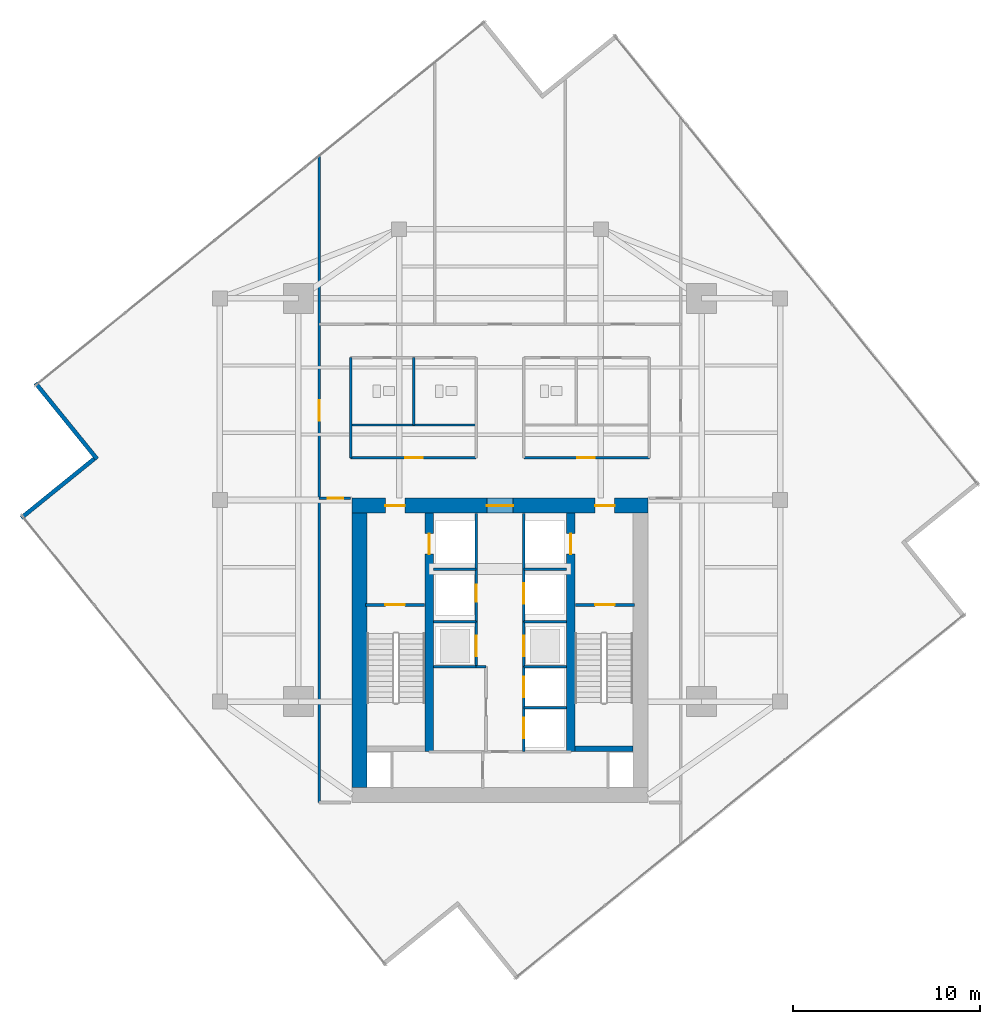
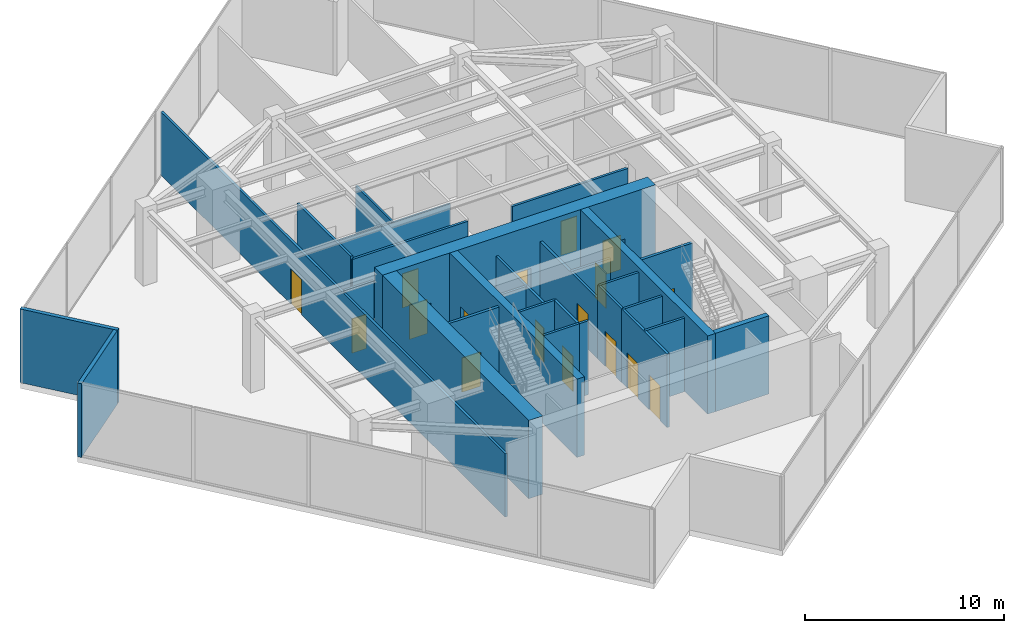
# One storey, part 18 of 22: 29 walls, 17 doors, 17 openings.
"""IFC4 building model written with IfcOpenShell, lengths in metres."""

from ifc_helpers import new_model, si_unit, direction, frame, frame_2d, origin, place, context, subcontext, project, spatial, rectangle, extrude, material, layer, layer_set, type_object, element, fill, save


model = new_model("IFC4")

# Units and contexts
model_context = context("Model", 3, precision=1e-05, world=origin(), true_north=direction((0.0, 1.0)))
body_context = subcontext(model_context, "Body", "Model", "MODEL_VIEW")
ifc_project = project(units=[si_unit("LENGTHUNIT", "METRE"), si_unit("AREAUNIT", "SQUARE_METRE"), si_unit("VOLUMEUNIT", "CUBIC_METRE"), si_unit("PLANEANGLEUNIT", "RADIAN"), si_unit("MASSUNIT", "GRAM", prefix="KILO")], contexts=[model_context])

# Site, building, storey
site_placement = place(None, origin())
site = spatial("IfcSite", under=ifc_project, at=site_placement, CompositionType="ELEMENT")
building_placement = place(site_placement, origin())
building = spatial("IfcBuilding", under=site, at=building_placement, Name="Krantzveldt Concourse Tower", CompositionType="ELEMENT")
storey_placement = place(building_placement, frame((0.0, 0.0, 262.60009765625)))
storey = spatial("IfcBuildingStorey", under=building, at=storey_placement, Name="L64", CompositionType="ELEMENT", Elevation=262.60009765625)

# Walls
ifc_material_1 = material(Name="Anodised aluminium 6063-T6", Category="aluminium")
ifc_layer_1 = layer(ifc_material_1, 0.219970703125, Name="Anodised aluminium 6063-T6", Category="aluminium")
ifc_layer_set_1 = layer_set([ifc_layer_1], Name="Anodised aluminium 6063-T6 (WL-EXT-NOTCH220)")
wall_type_1 = type_object("IfcWallType", Name="WL-EXT-NOTCH220", PredefinedType="ELEMENTEDWALL", material=ifc_layer_set_1)
wall_1_placement = place(storey_placement, frame((11.122802734375, 32.965576171875, 0.0), z_axis=(0.0, 0.0, 1.0), x_axis=(0.629366932104, -0.777108270947, 0.0)))
element("IfcWall", 1, at=wall_1_placement, inside=storey, type_object=wall_type_1, Name="EW-L64-NCH02", PredefinedType="ELEMENTEDWALL", context=body_context, shape_type="SweptSolid", body=[
    extrude(rectangle(XDim=5.244873046875, YDim=0.219970703125, at=frame_2d((2.62255859375, 0.0))), origin(), (0.0, 0.0, 1.0), 4.52001953125),
])
wall_2_placement = place(storey_placement, frame((14.26904296875, 28.90576171875, 0.0), z_axis=(0.0, 0.0, 1.0), x_axis=(-0.777153217978, -0.629311429887, 0.0)))
element("IfcWall", 2, at=wall_2_placement, inside=storey, type_object=wall_type_1, Name="EW-L64-NCH03", PredefinedType="ELEMENTEDWALL", context=body_context, shape_type="SweptSolid", body=[
    extrude(rectangle(XDim=5.025146484375, YDim=0.219970703125, at=frame_2d((2.5126953125, 0.0))), origin(), (0.0, 0.0, 1.0), 4.52001953125),
])
ifc_material_2 = material(Name="Fire-rated gypsum plasterboard on steel stud", Category="steel")
ifc_layer_2 = layer(ifc_material_2, 0.1201171875, Name="Fire-rated gypsum plasterboard on steel stud", Category="steel")
ifc_layer_set_2 = layer_set([ifc_layer_2], Name="Fire-rated gypsum plasterboard on steel stud (WL-PART-120)")
wall_type_2 = type_object("IfcWallType", Name="WL-PART-120", PredefinedType="PARTITIONING", material=ifc_layer_set_2)
wall_3_placement = place(storey_placement, frame((28.0, 30.719970703125, 0.0), z_axis=(0.0, 0.0, 1.0), x_axis=(1.0, 0.0, 0.0)))
element("IfcWall", 3, at=wall_3_placement, inside=storey, type_object=wall_type_2, Name="WP-L64-SML", PredefinedType="PARTITIONING", context=body_context, shape_type="SweptSolid", body=[
    extrude(rectangle(XDim=6.719970703125, YDim=0.1201171875, at=frame_2d((3.35986328125, 0.0))), origin(), (0.0, 0.0, 1.0), 4.02978515625),
])
wall_4_placement = place(storey_placement, frame((31.3798828125, 30.719970703125, 0.0), z_axis=(0.0, 0.0, 1.0), x_axis=(0.0, 1.0, 0.0)))
element("IfcWall", 4, at=wall_4_placement, inside=storey, type_object=wall_type_2, Name="WP-L64-SD1", PredefinedType="PARTITIONING", context=body_context, shape_type="SweptSolid", body=[
    extrude(rectangle(XDim=3.60009765625, YDim=0.1201171875, at=frame_2d((1.800048828125, 0.0))), origin(), (0.0, 0.0, 1.0), 4.119873046875),
])

# Wall, opening, door
ifc_layer_3 = layer(ifc_material_2, 0.139892578125, Name="Fire-rated gypsum plasterboard on steel stud", Category="steel")
ifc_layer_set_3 = layer_set([ifc_layer_3], Name="Fire-rated gypsum plasterboard on steel stud (WL-PART-140)")
wall_type_3 = type_object("IfcWallType", Name="WL-PART-140", PredefinedType="PARTITIONING", material=ifc_layer_set_3)
wall_5_placement = place(storey_placement, frame((28.0, 28.9599609375, 0.0), z_axis=(0.0, 0.0, 1.0), x_axis=(1.0, 0.0, 0.0)))
wall_5 = element("IfcWall", 5, at=wall_5_placement, inside=storey, type_object=wall_type_3, Name="WP-L64-SHL", PredefinedType="PARTITIONING", context=body_context, shape_type="SweptSolid", body=[
    extrude(rectangle(XDim=6.719970703125, YDim=0.139892578125, at=frame_2d((3.35986328125, 0.0))), origin(), (0.0, 0.0, 1.0), 4.02978515625),
])
opening_1_placement = place(wall_5_placement, frame((2.925048828125, 0.0, 0.0)))
opening_1 = element("IfcOpeningElement", 6, at=opening_1_placement, cuts=wall_5, Name="Opening D-IN095", PredefinedType="OPENING", context=body_context, shape_type="SweptSolid", body=[
    extrude(rectangle(XDim=0.949951171875, YDim=2.10009765625, at=frame_2d((0.47509765625, 1.050048828125))), frame((0.0, 0.080078125, 0.0), z_axis=(0.0, -1.0, 0.0), x_axis=(1.0, 0.0, 0.0)), (0.0, 0.0, 1.0), 0.159912109375),
])
ifc_material_3 = material(Name="Hardwood timber", Category="wood")
door_type_1 = type_object("IfcDoorType", Name="DR-INT-950", OperationType="SINGLE_SWING_LEFT", PredefinedType="DOOR", material=ifc_material_3)
door_1_placement = place(opening_1_placement, origin())
door_1 = element("IfcDoor", 7, at=door_1_placement, inside=storey, type_object=door_type_1, Name="DR-L64-ALCW", OperationType="SINGLE_SWING_LEFT", OverallHeight=2.10009765625, OverallWidth=0.949951171875, PredefinedType="DOOR", context=body_context, shape_type="SweptSolid", body=[
    extrude(rectangle(XDim=0.949951171875, YDim=2.10009765625, at=frame_2d((0.47509765625, 1.050048828125))), frame((0.0, 0.02490234375, 0.0), z_axis=(0.0, -1.0, 0.0), x_axis=(1.0, 0.0, 0.0)), (0.0, 0.0, 1.0), 0.050048828125),
])
fill(opening_1, door_1)

wall_6_placement = place(storey_placement, frame((37.280029296875, 28.9599609375, 0.0), z_axis=(0.0, 0.0, 1.0), x_axis=(1.0, 0.0, 0.0)))
wall_6 = element("IfcWall", 8, at=wall_6_placement, inside=storey, type_object=wall_type_3, Name="WP-L64-SHR", PredefinedType="PARTITIONING", context=body_context, shape_type="SweptSolid", body=[
    extrude(rectangle(XDim=6.719970703125, YDim=0.139892578125, at=frame_2d((3.35986328125, 0.0))), origin(), (0.0, 0.0, 1.0), 4.02978515625),
])
opening_2_placement = place(wall_6_placement, frame((2.844970703125, 0.0, 0.0)))
opening_2 = element("IfcOpeningElement", 9, at=opening_2_placement, cuts=wall_6, Name="Opening D-IN095", PredefinedType="OPENING", context=body_context, shape_type="SweptSolid", body=[
    extrude(rectangle(XDim=0.949951171875, YDim=2.10009765625, at=frame_2d((0.47509765625, 1.050048828125))), frame((0.0, 0.080078125, 0.0), z_axis=(0.0, -1.0, 0.0), x_axis=(1.0, 0.0, 0.0)), (0.0, 0.0, 1.0), 0.159912109375),
])
door_2_placement = place(opening_2_placement, origin())
door_2 = element("IfcDoor", 10, at=door_2_placement, inside=storey, type_object=door_type_1, Name="DR-L64-ALCE", OperationType="SINGLE_SWING_RIGHT", OverallHeight=2.10009765625, OverallWidth=0.949951171875, PredefinedType="DOOR", context=body_context, shape_type="SweptSolid", body=[
    extrude(rectangle(XDim=0.949951171875, YDim=2.10009765625, at=frame_2d((0.47509765625, 1.050048828125))), frame((0.0, 0.02490234375, 0.0), z_axis=(0.0, -1.0, 0.0), x_axis=(1.0, 0.0, 0.0)), (0.0, 0.0, 1.0), 0.050048828125),
])
fill(opening_2, door_2)

# Wall
wall_7_placement = place(storey_placement, frame((28.0, 28.9599609375, 0.0), z_axis=(0.0, 0.0, 1.0), x_axis=(0.0, 1.0, 0.0)))
element("IfcWall", 11, at=wall_7_placement, inside=storey, type_object=wall_type_3, Name="WP-L64-SWL", PredefinedType="PARTITIONING", context=body_context, shape_type="SweptSolid", body=[
    extrude(rectangle(XDim=5.360107421875, YDim=0.139892578125, at=frame_2d((2.68017578125, 0.0))), origin(), (0.0, 0.0, 1.0), 4.219970703125),
])

# Wall, opening, door
wall_8_placement = place(storey_placement, frame((26.320068359375, 10.5, 0.0), z_axis=(0.0, 0.0, 1.0), x_axis=(0.0, 1.0, 0.0)))
wall_8 = element("IfcWall", 12, at=wall_8_placement, inside=storey, type_object=wall_type_3, Name="WP-L64-CWL", PredefinedType="PARTITIONING", context=body_context, shape_type="SweptSolid", body=[
    extrude(rectangle(XDim=34.6240234375, YDim=0.139892578125, at=frame_2d((17.31201171875, 0.0))), origin(), (0.0, 0.0, 1.0), 3.8798828125),
])
opening_3_placement = place(wall_8_placement, frame((20.449951171875, 0.0, 0.0)))
opening_3 = element("IfcOpeningElement", 13, at=opening_3_placement, cuts=wall_8, Name="Opening D-IN110", PredefinedType="OPENING", context=body_context, shape_type="SweptSolid", body=[
    extrude(rectangle(XDim=1.10009765625, YDim=2.14990234375, at=frame_2d((0.550048828125, 1.074951171875))), frame((0.0, 0.080078125, 0.0), z_axis=(0.0, -1.0, 0.0), x_axis=(1.0, 0.0, 0.0)), (0.0, 0.0, 1.0), 0.159912109375),
])
door_type_2 = type_object("IfcDoorType", Name="DR-INT-1100", OperationType="SINGLE_SWING_LEFT", PredefinedType="DOOR", material=ifc_material_3)
door_3_placement = place(opening_3_placement, origin())
door_3 = element("IfcDoor", 14, at=door_3_placement, inside=storey, type_object=door_type_2, Name="DR-L64-SKYW", OperationType="SINGLE_SWING_LEFT", OverallHeight=2.14990234375, OverallWidth=1.10009765625, PredefinedType="DOOR", context=body_context, shape_type="SweptSolid", body=[
    extrude(rectangle(XDim=1.10009765625, YDim=2.14990234375, at=frame_2d((0.550048828125, 1.074951171875))), frame((0.0, 0.02490234375, 0.0), z_axis=(0.0, -1.0, 0.0), x_axis=(1.0, 0.0, 0.0)), (0.0, 0.0, 1.0), 0.050048828125),
])
fill(opening_3, door_3)

wall_9_placement = place(storey_placement, frame((26.320068359375, 26.800048828125, 0.0), z_axis=(0.0, 0.0, 1.0), x_axis=(1.0, 0.0, 0.0)))
wall_9 = element("IfcWall", 15, at=wall_9_placement, inside=storey, type_object=wall_type_3, Name="WP-L64-CSW", PredefinedType="PARTITIONING", context=body_context, shape_type="SweptSolid", body=[
    extrude(rectangle(XDim=1.679931640625, YDim=0.139892578125, at=frame_2d((0.83984375, 0.0))), origin(), (0.0, 0.0, 1.0), 4.02978515625),
])
opening_4_placement = place(wall_9_placement, frame((0.445068359375, 0.0, 0.0)))
opening_4 = element("IfcOpeningElement", 16, at=opening_4_placement, cuts=wall_9, Name="Opening D-IN085", PredefinedType="OPENING", context=body_context, shape_type="SweptSolid", body=[
    extrude(rectangle(XDim=0.85009765625, YDim=2.10009765625, at=frame_2d((0.425048828125, 1.050048828125))), frame((0.0, 0.080078125, 0.0), z_axis=(0.0, -1.0, 0.0), x_axis=(1.0, 0.0, 0.0)), (0.0, 0.0, 1.0), 0.159912109375),
])
door_type_3 = type_object("IfcDoorType", Name="DR-INT-850", OperationType="SINGLE_SWING_LEFT", PredefinedType="DOOR", material=ifc_material_3)
door_4_placement = place(opening_4_placement, origin())
door_4 = element("IfcDoor", 17, at=door_4_placement, inside=storey, type_object=door_type_3, Name="DR-L64-PKW", OperationType="SINGLE_SWING_LEFT", OverallHeight=2.10009765625, OverallWidth=0.85009765625, PredefinedType="DOOR", context=body_context, shape_type="SweptSolid", body=[
    extrude(rectangle(XDim=0.85009765625, YDim=2.10009765625, at=frame_2d((0.425048828125, 1.050048828125))), frame((0.0, 0.02490234375, 0.0), z_axis=(0.0, -1.0, 0.0), x_axis=(1.0, 0.0, 0.0)), (0.0, 0.0, 1.0), 0.050048828125),
])
fill(opening_4, door_4)

ifc_layer_4 = layer(ifc_material_2, 0.139892578125, Name="Fire-rated gypsum plasterboard on steel stud", Category="steel")
ifc_layer_set_4 = layer_set([ifc_layer_4], Name="Fire-rated gypsum plasterboard on steel stud (WL-PART-FR140)")
wall_type_4 = type_object("IfcWallType", Name="WL-PART-FR140", PredefinedType="PARTITIONING", material=ifc_layer_set_4)
wall_10_placement = place(storey_placement, frame((34.719970703125, 20.199951171875, 0.0), z_axis=(0.0, 0.0, 1.0), x_axis=(0.0, 1.0, 0.0)))
wall_10 = element("IfcWall", 18, at=wall_10_placement, inside=storey, type_object=wall_type_4, Name="WP-L64-SHNW", PredefinedType="PARTITIONING", context=body_context, shape_type="SweptSolid", body=[
    extrude(rectangle(XDim=5.780029296875, YDim=0.139892578125, at=frame_2d((2.89013671875, 0.0))), origin(), (0.0, 0.0, 1.0), 3.669921875),
])
opening_5_placement = place(wall_10_placement, frame((1.050048828125, 0.0, 0.0)))
opening_5 = element("IfcOpeningElement", 19, at=opening_5_placement, cuts=wall_10, Name="Opening D-FD090", PredefinedType="OPENING", context=body_context, shape_type="SweptSolid", body=[
    extrude(rectangle(XDim=0.89990234375, YDim=2.10009765625, at=frame_2d((0.449951171875, 1.050048828125))), frame((0.0, 0.080078125, 0.0), z_axis=(0.0, -1.0, 0.0), x_axis=(1.0, 0.0, 0.0)), (0.0, 0.0, 1.0), 0.159912109375),
])
door_type_4 = type_object("IfcDoorType", Name="DR-FD60-900", OperationType="SINGLE_SWING_LEFT", PredefinedType="DOOR", material=ifc_material_3)
door_5_placement = place(opening_5_placement, origin())
door_5 = element("IfcDoor", 20, at=door_5_placement, inside=storey, type_object=door_type_4, Name="Electrical Riser Access Door L64", OperationType="SINGLE_SWING_LEFT", OverallHeight=2.10009765625, OverallWidth=0.89990234375, PredefinedType="DOOR", context=body_context, shape_type="SweptSolid", body=[
    extrude(rectangle(XDim=0.89990234375, YDim=2.10009765625, at=frame_2d((0.449951171875, 1.050048828125))), frame((0.0, 0.02490234375, 0.0), z_axis=(0.0, -1.0, 0.0), x_axis=(1.0, 0.0, 0.0)), (0.0, 0.0, 1.0), 0.050048828125),
])
fill(opening_5, door_5)

wall_11_placement = place(storey_placement, frame((37.280029296875, 20.199951171875, 0.0), z_axis=(0.0, 0.0, 1.0), x_axis=(0.0, 1.0, 0.0)))
wall_11 = element("IfcWall", 21, at=wall_11_placement, inside=storey, type_object=wall_type_4, Name="WP-L64-SHNE", PredefinedType="PARTITIONING", context=body_context, shape_type="SweptSolid", body=[
    extrude(rectangle(XDim=5.780029296875, YDim=0.139892578125, at=frame_2d((2.89013671875, 0.0))), origin(), (0.0, 0.0, 1.0), 3.669921875),
])
opening_6_placement = place(wall_11_placement, frame((0.949951171875, 0.0, 0.0)))
opening_6 = element("IfcOpeningElement", 22, at=opening_6_placement, cuts=wall_11, Name="Opening LD", PredefinedType="OPENING", context=body_context, shape_type="SweptSolid", body=[
    extrude(rectangle(XDim=1.10009765625, YDim=2.14990234375, at=frame_2d((0.550048828125, 1.074951171875))), frame((0.0, 0.080078125, 0.0), z_axis=(0.0, -1.0, 0.0), x_axis=(1.0, 0.0, 0.0)), (0.0, 0.0, 1.0), 0.159912109375),
])
ifc_material_4 = material(Name="Stainless steel 316L", Category="steel")
door_type_5 = type_object("IfcDoorType", Name="DR-SLIDE-LD1100", OperationType="DOUBLE_DOOR_SLIDING", PredefinedType="DOOR", material=ifc_material_4)
door_6_placement = place(opening_6_placement, origin())
door_6 = element("IfcDoor", 23, at=door_6_placement, inside=storey, type_object=door_type_5, Name="LD-L64-GL1", OperationType="DOUBLE_DOOR_SLIDING", OverallHeight=2.14990234375, OverallWidth=1.10009765625, PredefinedType="DOOR", context=body_context, shape_type="SweptSolid", body=[
    extrude(rectangle(XDim=1.10009765625, YDim=2.14990234375, at=frame_2d((0.550048828125, 1.074951171875))), frame((0.0, 0.02490234375, 0.0), z_axis=(0.0, -1.0, 0.0), x_axis=(1.0, 0.0, 0.0)), (0.0, 0.0, 1.0), 0.050048828125),
])
fill(opening_6, door_6)

# Walls
for number, where, z_axis, x_axis, name in (
    (24, (32.449951171875, 23.0, 0.0), (0.0, 0.0, 1.0), (1.0, 0.0, 0.0), "WP-L64-RISH"),
    (25, (37.280029296875, 23.0, 0.0), (0.0, 0.0, 1.0), (1.0, 0.0, 0.0), "WP-L64-GLH"),
):
    element("IfcWall", number, at=place(storey_placement, frame(where, z_axis=z_axis, x_axis=x_axis)), inside=storey, type_object=wall_type_4, Name=name, PredefinedType="PARTITIONING", context=body_context, shape_type="SweptSolid", body=[
        extrude(rectangle(XDim=2.27001953125, YDim=0.139892578125, at=frame_2d((1.135009765625, 0.0))), origin(), (0.0, 0.0, 1.0), 3.669921875),
    ])

# Wall, opening, door
wall_12_placement = place(storey_placement, frame((34.719970703125, 17.780029296875, 0.0), z_axis=(0.0, 0.0, 1.0), x_axis=(0.0, 1.0, 0.0)))
wall_12 = element("IfcWall", 26, at=wall_12_placement, inside=storey, type_object=wall_type_4, Name="WP-L64-SHNW2", PredefinedType="PARTITIONING", context=body_context, shape_type="SweptSolid", body=[
    extrude(rectangle(XDim=2.419921875, YDim=0.139892578125, at=frame_2d((1.2099609375, 0.0))), origin(), (0.0, 0.0, 1.0), 4.52001953125),
])
opening_7_placement = place(wall_12_placement, frame((0.550048828125, 0.0, 0.0)))
opening_7 = element("IfcOpeningElement", 27, at=opening_7_placement, cuts=wall_12, Name="Opening LD", PredefinedType="OPENING", context=body_context, shape_type="SweptSolid", body=[
    extrude(rectangle(XDim=1.10009765625, YDim=2.14990234375, at=frame_2d((0.550048828125, 1.074951171875))), frame((0.0, 0.080078125, 0.0), z_axis=(0.0, -1.0, 0.0), x_axis=(1.0, 0.0, 0.0)), (0.0, 0.0, 1.0), 0.159912109375),
])
door_7_placement = place(opening_7_placement, origin())
door_7 = element("IfcDoor", 28, at=door_7_placement, inside=storey, type_object=door_type_5, Name="LD-L64-PH1", OperationType="DOUBLE_DOOR_SLIDING", OverallHeight=2.14990234375, OverallWidth=1.10009765625, PredefinedType="DOOR", context=body_context, shape_type="SweptSolid", body=[
    extrude(rectangle(XDim=1.10009765625, YDim=2.14990234375, at=frame_2d((0.550048828125, 1.074951171875))), frame((0.0, 0.02490234375, 0.0), z_axis=(0.0, -1.0, 0.0), x_axis=(1.0, 0.0, 0.0)), (0.0, 0.0, 1.0), 0.050048828125),
])
fill(opening_7, door_7)

wall_13_placement = place(storey_placement, frame((37.280029296875, 17.780029296875, 0.0), z_axis=(0.0, 0.0, 1.0), x_axis=(0.0, 1.0, 0.0)))
wall_13 = element("IfcWall", 29, at=wall_13_placement, inside=storey, type_object=wall_type_4, Name="WP-L64-SHNE2", PredefinedType="PARTITIONING", context=body_context, shape_type="SweptSolid", body=[
    extrude(rectangle(XDim=2.419921875, YDim=0.139892578125, at=frame_2d((1.2099609375, 0.0))), origin(), (0.0, 0.0, 1.0), 4.52001953125),
])
opening_8_placement = place(wall_13_placement, frame((0.550048828125, 0.0, 0.0)))
opening_8 = element("IfcOpeningElement", 30, at=opening_8_placement, cuts=wall_13, Name="Opening LD", PredefinedType="OPENING", context=body_context, shape_type="SweptSolid", body=[
    extrude(rectangle(XDim=1.10009765625, YDim=2.14990234375, at=frame_2d((0.550048828125, 1.074951171875))), frame((0.0, 0.080078125, 0.0), z_axis=(0.0, -1.0, 0.0), x_axis=(1.0, 0.0, 0.0)), (0.0, 0.0, 1.0), 0.159912109375),
])
door_8_placement = place(opening_8_placement, origin())
door_8 = element("IfcDoor", 31, at=door_8_placement, inside=storey, type_object=door_type_5, Name="LD-L64-PH2", OperationType="DOUBLE_DOOR_SLIDING", OverallHeight=2.14990234375, OverallWidth=1.10009765625, PredefinedType="DOOR", context=body_context, shape_type="SweptSolid", body=[
    extrude(rectangle(XDim=1.10009765625, YDim=2.14990234375, at=frame_2d((0.550048828125, 1.074951171875))), frame((0.0, 0.02490234375, 0.0), z_axis=(0.0, -1.0, 0.0), x_axis=(1.0, 0.0, 0.0)), (0.0, 0.0, 1.0), 0.050048828125),
])
fill(opening_8, door_8)

# Walls
for number, where, z_axis, x_axis, name in (
    (32, (32.449951171875, 17.780029296875, 0.0), (0.0, 0.0, 1.0), (1.0, 0.0, 0.0), "WP-L64-DIVW2"),
    (33, (32.449951171875, 20.179931640625, 0.0), (0.0, 0.0, 1.0), (1.0, 0.0, 0.0), "WP-L64-DIVW3"),
    (34, (37.280029296875, 17.780029296875, 0.0), (0.0, 0.0, 1.0), (1.0, 0.0, 0.0), "WP-L64-DIVE2"),
    (35, (37.280029296875, 20.179931640625, 0.0), (0.0, 0.0, 1.0), (1.0, 0.0, 0.0), "WP-L64-DIVE3"),
):
    element("IfcWall", number, at=place(storey_placement, frame(where, z_axis=z_axis, x_axis=x_axis)), inside=storey, type_object=wall_type_4, Name=name, PredefinedType="PARTITIONING", context=body_context, shape_type="SweptSolid", body=[
        extrude(rectangle(XDim=2.27001953125, YDim=0.139892578125, at=frame_2d((1.135009765625, 0.0))), origin(), (0.0, 0.0, 1.0), 4.52001953125),
    ])
wall_14_placement = place(storey_placement, frame((34.719970703125, 17.780029296875, 0.0), z_axis=(0.0, 0.0, 1.0), x_axis=(1.0, 0.0, 0.0)))
element("IfcWall", 36, at=wall_14_placement, inside=storey, type_object=wall_type_4, Name="WP-L64-RECWN", PredefinedType="PARTITIONING", context=body_context, shape_type="SweptSolid", body=[
    extrude(rectangle(XDim=0.530029296875, YDim=0.139892578125, at=frame_2d((0.26513671875, 0.0))), origin(), (0.0, 0.0, 1.0), 4.52001953125),
])

# Wall, openings, doors
wall_15_placement = place(storey_placement, frame((37.280029296875, 13.219970703125, 0.0), z_axis=(0.0, 0.0, 1.0), x_axis=(0.0, 1.0, 0.0)))
wall_15 = element("IfcWall", 37, at=wall_15_placement, inside=storey, type_object=wall_type_4, Name="WP-L64-SHSE", PredefinedType="PARTITIONING", context=body_context, shape_type="SweptSolid", body=[
    extrude(rectangle(XDim=4.56005859375, YDim=0.139892578125, at=frame_2d((2.280029296875, 0.0))), origin(), (0.0, 0.0, 1.0), 4.52001953125),
])
opening_9_placement = place(wall_15_placement, frame((0.7099609375, 0.0, 0.0)))
opening_9 = element("IfcOpeningElement", 38, at=opening_9_placement, cuts=wall_15, Name="Opening LD", PredefinedType="OPENING", context=body_context, shape_type="SweptSolid", body=[
    extrude(rectangle(XDim=1.10009765625, YDim=2.14990234375, at=frame_2d((0.550048828125, 1.074951171875))), frame((0.0, 0.080078125, 0.0), z_axis=(0.0, -1.0, 0.0), x_axis=(1.0, 0.0, 0.0)), (0.0, 0.0, 1.0), 0.159912109375),
])
opening_10_placement = place(wall_15_placement, frame((2.909912109375, 0.0, 0.0)))
opening_10 = element("IfcOpeningElement", 39, at=opening_10_placement, cuts=wall_15, Name="Opening LD", PredefinedType="OPENING", context=body_context, shape_type="SweptSolid", body=[
    extrude(rectangle(XDim=1.10009765625, YDim=2.14990234375, at=frame_2d((0.550048828125, 1.074951171875))), frame((0.0, 0.080078125, 0.0), z_axis=(0.0, -1.0, 0.0), x_axis=(1.0, 0.0, 0.0)), (0.0, 0.0, 1.0), 0.159912109375),
])
door_9_placement = place(opening_9_placement, origin())
door_9 = element("IfcDoor", 40, at=door_9_placement, inside=storey, type_object=door_type_5, Name="LD-L64-PM1", OperationType="DOUBLE_DOOR_SLIDING", OverallHeight=2.14990234375, OverallWidth=1.10009765625, PredefinedType="DOOR", context=body_context, shape_type="SweptSolid", body=[
    extrude(rectangle(XDim=1.10009765625, YDim=2.14990234375, at=frame_2d((0.550048828125, 1.074951171875))), frame((0.0, 0.02490234375, 0.0), z_axis=(0.0, -1.0, 0.0), x_axis=(1.0, 0.0, 0.0)), (0.0, 0.0, 1.0), 0.050048828125),
])
fill(opening_9, door_9)
door_10_placement = place(opening_10_placement, origin())
door_10 = element("IfcDoor", 41, at=door_10_placement, inside=storey, type_object=door_type_5, Name="LD-L64-PM2", OperationType="DOUBLE_DOOR_SLIDING", OverallHeight=2.14990234375, OverallWidth=1.10009765625, PredefinedType="DOOR", context=body_context, shape_type="SweptSolid", body=[
    extrude(rectangle(XDim=1.10009765625, YDim=2.14990234375, at=frame_2d((0.550048828125, 1.074951171875))), frame((0.0, 0.02490234375, 0.0), z_axis=(0.0, -1.0, 0.0), x_axis=(1.0, 0.0, 0.0)), (0.0, 0.0, 1.0), 0.050048828125),
])
fill(opening_10, door_10)

# Wall
wall_16_placement = place(storey_placement, frame((37.280029296875, 15.580078125, 0.0), z_axis=(0.0, 0.0, 1.0), x_axis=(1.0, 0.0, 0.0)))
element("IfcWall", 42, at=wall_16_placement, inside=storey, type_object=wall_type_4, Name="WP-L64-DIVE1", PredefinedType="PARTITIONING", context=body_context, shape_type="SweptSolid", body=[
    extrude(rectangle(XDim=2.27001953125, YDim=0.139892578125, at=frame_2d((1.135009765625, 0.0))), origin(), (0.0, 0.0, 1.0), 4.52001953125),
])

# Wall, opening, door
ifc_layer_5 = layer(ifc_material_2, 0.159912109375, Name="Fire-rated gypsum plasterboard on steel stud", Category="steel")
ifc_layer_set_5 = layer_set([ifc_layer_5], Name="Fire-rated gypsum plasterboard on steel stud (WL-PART-FR160)")
wall_type_5 = type_object("IfcWallType", Name="WL-PART-FR160", PredefinedType="PARTITIONING", material=ifc_layer_set_5)
wall_17_placement = place(storey_placement, frame((28.800048828125, 21.080078125, 0.0), z_axis=(0.0, 0.0, 1.0), x_axis=(1.0, 0.0, 0.0)))
wall_17 = element("IfcWall", 43, at=wall_17_placement, inside=storey, type_object=wall_type_5, Name="WP-L64-ST1", PredefinedType="PARTITIONING", context=body_context, shape_type="SweptSolid", body=[
    extrude(rectangle(XDim=3.159912109375, YDim=0.159912109375, at=frame_2d((1.580078125, 0.0))), origin(), (0.0, 0.0, 1.0), 4.52001953125),
])
opening_11_placement = place(wall_17_placement, frame((1.054931640625, 0.0, 0.0)))
opening_11 = element("IfcOpeningElement", 44, at=opening_11_placement, cuts=wall_17, Name="Opening D-FD105", PredefinedType="OPENING", context=body_context, shape_type="SweptSolid", body=[
    extrude(rectangle(XDim=1.050048828125, YDim=2.10009765625, at=frame_2d((0.52490234375, 1.050048828125))), frame((0.0, 0.08984375, 0.0), z_axis=(0.0, -1.0, 0.0), x_axis=(1.0, 0.0, 0.0)), (0.0, 0.0, 1.0), 0.179931640625),
])
ifc_material_5 = material(Name="Galvanised steel", Category="steel")
door_type_6 = type_object("IfcDoorType", Name="DR-FD120-1050", OperationType="SINGLE_SWING_LEFT", PredefinedType="DOOR", material=ifc_material_5)
door_11_placement = place(opening_11_placement, origin())
door_11 = element("IfcDoor", 45, at=door_11_placement, inside=storey, type_object=door_type_6, Name="DR-L64-ST1", OperationType="SINGLE_SWING_RIGHT", OverallHeight=2.10009765625, OverallWidth=1.050048828125, PredefinedType="DOOR", context=body_context, shape_type="SweptSolid", body=[
    extrude(rectangle(XDim=1.050048828125, YDim=2.10009765625, at=frame_2d((0.52490234375, 1.050048828125))), frame((0.0, 0.02490234375, 0.0), z_axis=(0.0, -1.0, 0.0), x_axis=(1.0, 0.0, 0.0)), (0.0, 0.0, 1.0), 0.050048828125),
])
fill(opening_11, door_11)

wall_18_placement = place(storey_placement, frame((40.0400390625, 21.080078125, 0.0), z_axis=(0.0, 0.0, 1.0), x_axis=(1.0, 0.0, 0.0)))
wall_18 = element("IfcWall", 46, at=wall_18_placement, inside=storey, type_object=wall_type_5, Name="WP-L64-ST2", PredefinedType="PARTITIONING", context=body_context, shape_type="SweptSolid", body=[
    extrude(rectangle(XDim=3.159912109375, YDim=0.159912109375, at=frame_2d((1.580078125, 0.0))), origin(), (0.0, 0.0, 1.0), 4.52001953125),
])
opening_12_placement = place(wall_18_placement, frame((1.054931640625, 0.0, 0.0)))
opening_12 = element("IfcOpeningElement", 47, at=opening_12_placement, cuts=wall_18, Name="Opening D-FD105", PredefinedType="OPENING", context=body_context, shape_type="SweptSolid", body=[
    extrude(rectangle(XDim=1.050048828125, YDim=2.10009765625, at=frame_2d((0.52490234375, 1.050048828125))), frame((0.0, 0.08984375, 0.0), z_axis=(0.0, -1.0, 0.0), x_axis=(1.0, 0.0, 0.0)), (0.0, 0.0, 1.0), 0.179931640625),
])
door_12_placement = place(opening_12_placement, origin())
door_12 = element("IfcDoor", 48, at=door_12_placement, inside=storey, type_object=door_type_6, Name="DR-L64-ST2", OperationType="SINGLE_SWING_LEFT", OverallHeight=2.10009765625, OverallWidth=1.050048828125, PredefinedType="DOOR", context=body_context, shape_type="SweptSolid", body=[
    extrude(rectangle(XDim=1.050048828125, YDim=2.10009765625, at=frame_2d((0.52490234375, 1.050048828125))), frame((0.0, 0.02490234375, 0.0), z_axis=(0.0, -1.0, 0.0), x_axis=(1.0, 0.0, 0.0)), (0.0, 0.0, 1.0), 0.050048828125),
])
fill(opening_12, door_12)

# Wall
ifc_material_6 = material(Name="Concrete C50/60", Category="concrete")
ifc_layer_6 = layer(ifc_material_6, 0.300048828125, Name="Concrete C50/60", Category="concrete")
ifc_layer_set_6 = layer_set([ifc_layer_6], Name="Concrete C50/60 (WL-SHEAR-300)")
wall_type_6 = type_object("IfcWallType", Name="WL-SHEAR-300", PredefinedType="SHEAR", material=ifc_layer_set_6)
wall_19_placement = place(storey_placement, frame((40.02001953125, 13.3701171875, 0.0), z_axis=(0.0, 0.0, 1.0), x_axis=(1.0, 0.0, 0.0)))
element("IfcWall", 49, at=wall_19_placement, inside=storey, type_object=wall_type_6, Name="CW-L64-ST2S", PredefinedType="SHEAR", context=body_context, shape_type="SweptSolid", body=[
    extrude(rectangle(XDim=3.10009765625, YDim=0.300048828125, at=frame_2d((1.550048828125, 0.0))), origin(), (0.0, 0.0, 1.0), 4.7998046875),
])

# Wall, opening, door
ifc_layer_7 = layer(ifc_material_6, 0.449951171875, Name="Concrete C50/60", Category="concrete")
ifc_layer_set_7 = layer_set([ifc_layer_7], Name="Concrete C50/60 (WL-SHEAR-450)")
wall_type_7 = type_object("IfcWallType", Name="WL-SHEAR-450", PredefinedType="SHEAR", material=ifc_layer_set_7)
wall_20_placement = place(storey_placement, frame((32.205078125, 13.219970703125, 0.0), z_axis=(0.0, 0.0, 1.0), x_axis=(0.0, 1.0, 0.0)))
wall_20 = element("IfcWall", 50, at=wall_20_placement, inside=storey, type_object=wall_type_7, Name="CW-L64-IW", PredefinedType="SHEAR", context=body_context, shape_type="SweptSolid", body=[
    extrude(rectangle(XDim=12.780029296875, YDim=0.449951171875, at=frame_2d((6.39013671875, 0.0))), origin(), (0.0, 0.0, 1.0), 4.7998046875),
])
opening_13_placement = place(wall_20_placement, frame((10.580078125, 0.0, 0.0)))
opening_13 = element("IfcOpeningElement", 51, at=opening_13_placement, cuts=wall_20, Name="Opening LD", PredefinedType="OPENING", context=body_context, shape_type="SweptSolid", body=[
    extrude(rectangle(XDim=1.10009765625, YDim=2.14990234375, at=frame_2d((0.550048828125, 1.074951171875))), frame((0.0, 0.23486328125, 0.0), z_axis=(0.0, -1.0, 0.0), x_axis=(1.0, 0.0, 0.0)), (0.0, 0.0, 1.0), 0.469970703125),
])
door_13_placement = place(opening_13_placement, origin())
door_13 = element("IfcDoor", 52, at=door_13_placement, inside=storey, type_object=door_type_5, Name="LD-L64-FL1", OperationType="DOUBLE_DOOR_SLIDING", OverallHeight=2.14990234375, OverallWidth=1.10009765625, PredefinedType="DOOR", context=body_context, shape_type="SweptSolid", body=[
    extrude(rectangle(XDim=1.10009765625, YDim=2.14990234375, at=frame_2d((0.550048828125, 1.074951171875))), frame((0.0, 0.02490234375, 0.0), z_axis=(0.0, -1.0, 0.0), x_axis=(1.0, 0.0, 0.0)), (0.0, 0.0, 1.0), 0.050048828125),
])
fill(opening_13, door_13)

wall_21_placement = place(storey_placement, frame((39.794921875, 13.219970703125, 0.0), z_axis=(0.0, 0.0, 1.0), x_axis=(0.0, 1.0, 0.0)))
wall_21 = element("IfcWall", 53, at=wall_21_placement, inside=storey, type_object=wall_type_7, Name="CW-L64-IE", PredefinedType="SHEAR", context=body_context, shape_type="SweptSolid", body=[
    extrude(rectangle(XDim=12.780029296875, YDim=0.449951171875, at=frame_2d((6.39013671875, 0.0))), origin(), (0.0, 0.0, 1.0), 4.7998046875),
])
opening_14_placement = place(wall_21_placement, frame((10.580078125, 0.0, 0.0)))
opening_14 = element("IfcOpeningElement", 54, at=opening_14_placement, cuts=wall_21, Name="Opening LD", PredefinedType="OPENING", context=body_context, shape_type="SweptSolid", body=[
    extrude(rectangle(XDim=1.10009765625, YDim=2.14990234375, at=frame_2d((0.550048828125, 1.074951171875))), frame((0.0, 0.23486328125, 0.0), z_axis=(0.0, -1.0, 0.0), x_axis=(1.0, 0.0, 0.0)), (0.0, 0.0, 1.0), 0.469970703125),
])
door_14_placement = place(opening_14_placement, origin())
door_14 = element("IfcDoor", 55, at=door_14_placement, inside=storey, type_object=door_type_5, Name="LD-L64-FL2", OperationType="DOUBLE_DOOR_SLIDING", OverallHeight=2.14990234375, OverallWidth=1.10009765625, PredefinedType="DOOR", context=body_context, shape_type="SweptSolid", body=[
    extrude(rectangle(XDim=1.10009765625, YDim=2.14990234375, at=frame_2d((0.550048828125, 1.074951171875))), frame((0.0, 0.02490234375, 0.0), z_axis=(0.0, -1.0, 0.0), x_axis=(1.0, 0.0, 0.0)), (0.0, 0.0, 1.0), 0.050048828125),
])
fill(opening_14, door_14)

# Wall, openings, doors
ifc_material_7 = material(Name="Concrete C60/75", Category="concrete")
ifc_layer_8 = layer(ifc_material_7, 0.800048828125, Name="Concrete C60/75", Category="concrete")
ifc_layer_set_8 = layer_set([ifc_layer_8], Name="Concrete C60/75 (WL-SHEAR-800)")
wall_type_8 = type_object("IfcWallType", Name="WL-SHEAR-800", PredefinedType="SHEAR", material=ifc_layer_set_8)
wall_22_placement = place(storey_placement, frame((28.080078125, 26.39990234375, 0.0), z_axis=(0.0, 0.0, 1.0), x_axis=(1.0, 0.0, 0.0)))
wall_22 = element("IfcWall", 56, at=wall_22_placement, inside=storey, type_object=wall_type_8, Name="CW-L64-N", PredefinedType="SHEAR", context=body_context, shape_type="SweptSolid", body=[
    extrude(rectangle(XDim=15.83984375, YDim=0.800048828125, at=frame_2d((7.919921875, 0.0))), origin(), (0.0, 0.0, 1.0), 4.7998046875),
])
opening_15_placement = place(wall_22_placement, frame((7.219970703125, 0.0, 0.0)))
opening_15 = element("IfcOpeningElement", 57, at=opening_15_placement, cuts=wall_22, Name="Opening D-DB140", PredefinedType="OPENING", context=body_context, shape_type="SweptSolid", body=[
    extrude(rectangle(XDim=1.39990234375, YDim=2.199951171875, at=frame_2d((0.699951171875, 1.10009765625))), frame((0.0, 0.41015625, 0.0), z_axis=(0.0, -1.0, 0.0), x_axis=(1.0, 0.0, 0.0)), (0.0, 0.0, 1.0), 0.820068359375),
])
opening_16_placement = place(wall_22_placement, frame((1.77490234375, 0.0, 0.0)))
opening_16 = element("IfcOpeningElement", 58, at=opening_16_placement, cuts=wall_22, Name="Opening D-FD105", PredefinedType="OPENING", context=body_context, shape_type="SweptSolid", body=[
    extrude(rectangle(XDim=1.050048828125, YDim=2.10009765625, at=frame_2d((0.52490234375, 1.050048828125))), frame((0.0, 0.41015625, 0.0), z_axis=(0.0, -1.0, 0.0), x_axis=(1.0, 0.0, 0.0)), (0.0, 0.0, 1.0), 0.820068359375),
])
opening_17_placement = place(wall_22_placement, frame((13.014892578125, 0.0, 0.0)))
opening_17 = element("IfcOpeningElement", 59, at=opening_17_placement, cuts=wall_22, Name="Opening D-FD105", PredefinedType="OPENING", context=body_context, shape_type="SweptSolid", body=[
    extrude(rectangle(XDim=1.050048828125, YDim=2.10009765625, at=frame_2d((0.52490234375, 1.050048828125))), frame((0.0, 0.41015625, 0.0), z_axis=(0.0, -1.0, 0.0), x_axis=(1.0, 0.0, 0.0)), (0.0, 0.0, 1.0), 0.820068359375),
])
door_type_7 = type_object("IfcDoorType", Name="DR-DBL-1400", OperationType="DOUBLE_DOOR_SINGLE_SWING", PredefinedType="DOOR", material=ifc_material_1)
door_15_placement = place(opening_15_placement, origin())
door_15 = element("IfcDoor", 60, at=door_15_placement, inside=storey, type_object=door_type_7, Name="DR-L64-LLB", OperationType="DOUBLE_DOOR_SINGLE_SWING", OverallHeight=2.199951171875, OverallWidth=1.39990234375, PredefinedType="DOOR", context=body_context, shape_type="SweptSolid", body=[
    extrude(rectangle(XDim=1.39990234375, YDim=2.199951171875, at=frame_2d((0.699951171875, 1.10009765625))), frame((0.0, 0.02490234375, 0.0), z_axis=(0.0, -1.0, 0.0), x_axis=(1.0, 0.0, 0.0)), (0.0, 0.0, 1.0), 0.050048828125),
])
fill(opening_15, door_15)
door_16_placement = place(opening_16_placement, origin())
door_16 = element("IfcDoor", 61, at=door_16_placement, inside=storey, type_object=door_type_6, Name="DR-L64-FFL1", OperationType="SINGLE_SWING_LEFT", OverallHeight=2.10009765625, OverallWidth=1.050048828125, PredefinedType="DOOR", context=body_context, shape_type="SweptSolid", body=[
    extrude(rectangle(XDim=1.050048828125, YDim=2.10009765625, at=frame_2d((0.52490234375, 1.050048828125))), frame((0.0, 0.02490234375, 0.0), z_axis=(0.0, -1.0, 0.0), x_axis=(1.0, 0.0, 0.0)), (0.0, 0.0, 1.0), 0.050048828125),
])
fill(opening_16, door_16)
door_17_placement = place(opening_17_placement, origin())
door_17 = element("IfcDoor", 62, at=door_17_placement, inside=storey, type_object=door_type_6, Name="DR-L64-FFL2", OperationType="SINGLE_SWING_RIGHT", OverallHeight=2.10009765625, OverallWidth=1.050048828125, PredefinedType="DOOR", context=body_context, shape_type="SweptSolid", body=[
    extrude(rectangle(XDim=1.050048828125, YDim=2.10009765625, at=frame_2d((0.52490234375, 1.050048828125))), frame((0.0, 0.02490234375, 0.0), z_axis=(0.0, -1.0, 0.0), x_axis=(1.0, 0.0, 0.0)), (0.0, 0.0, 1.0), 0.050048828125),
])
fill(opening_17, door_17)

# Wall
wall_23_placement = place(storey_placement, frame((28.47998046875, 11.300048828125, 0.0), z_axis=(0.0, 0.0, 1.0), x_axis=(0.0, 1.0, 0.0)))
element("IfcWall", 63, at=wall_23_placement, inside=storey, type_object=wall_type_8, Name="CW-L64-W", PredefinedType="SHEAR", context=body_context, shape_type="SweptSolid", body=[
    extrude(rectangle(XDim=14.699951171875, YDim=0.800048828125, at=frame_2d((7.35009765625, 0.0))), origin(), (0.0, 0.0, 1.0), 4.7998046875),
])

save(model, "model.ifc")
